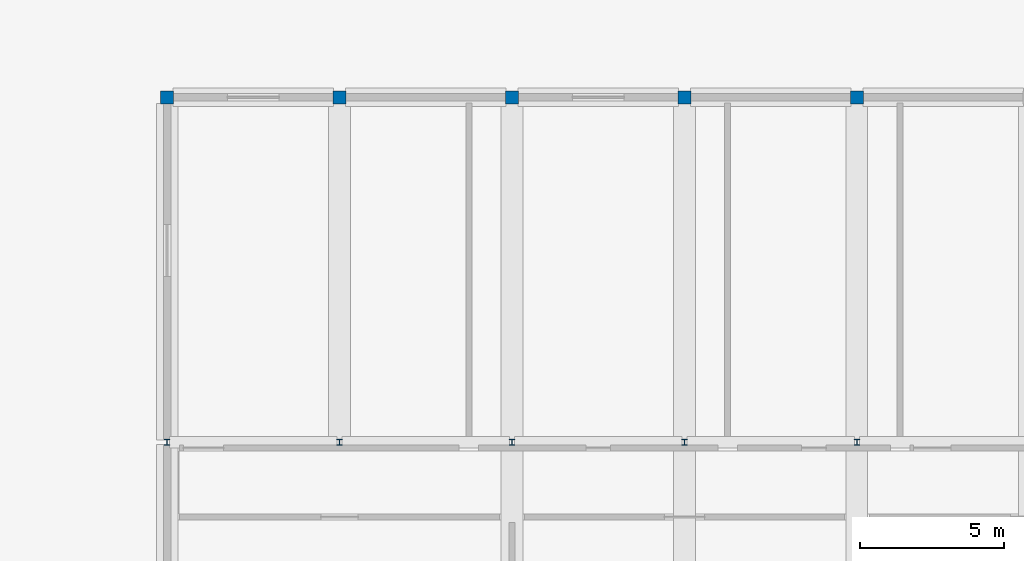
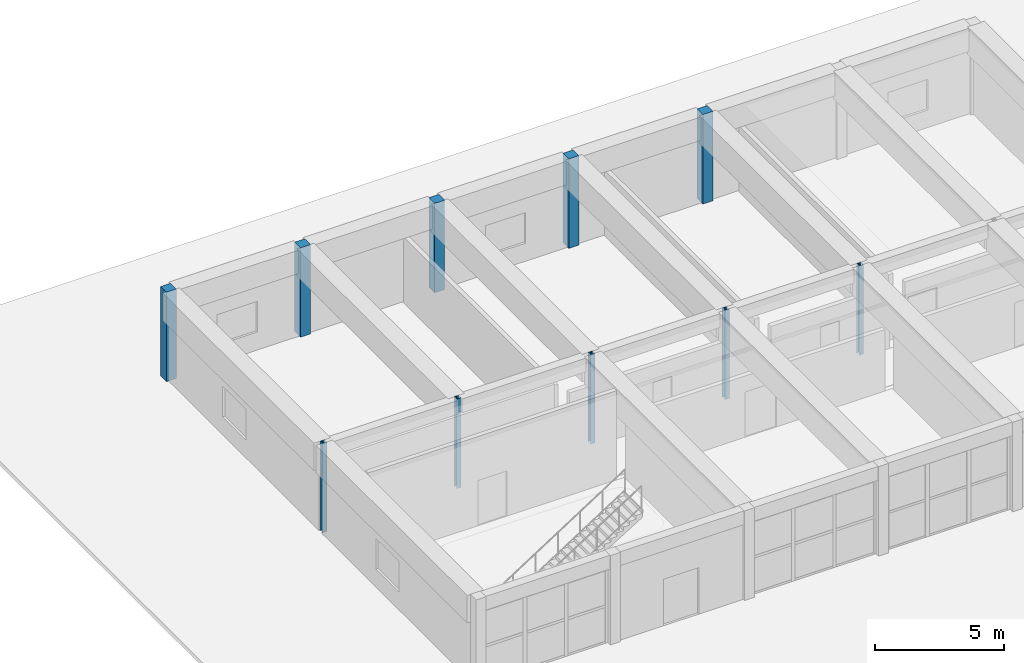
# One storey, part 6 of 76: 10 columns.
"""IFC4 building model written with IfcOpenShell, lengths in metres."""

from ifc_helpers import new_model, si_unit, direction, frame, origin, origin_2d, place, context, subcontext, project, spatial, rectangle, i_section, extrude, material, material_profile, profile_set, type_object, element, save


model = new_model("IFC4")

# Units and contexts
model_context = context("Model", 3, precision=1e-05, world=origin(), true_north=direction((0.0, 1.0)))
body_context = subcontext(model_context, "Body", "Model", "MODEL_VIEW")
ifc_project = project(units=[si_unit("LENGTHUNIT", "METRE"), si_unit("AREAUNIT", "SQUARE_METRE"), si_unit("VOLUMEUNIT", "CUBIC_METRE"), si_unit("PLANEANGLEUNIT", "RADIAN"), si_unit("MASSUNIT", "GRAM", prefix="KILO"), si_unit("POWERUNIT", "WATT"), si_unit("THERMODYNAMICTEMPERATUREUNIT", "KELVIN")], contexts=[model_context])

# Site, building, storey
site_placement = place(None, origin())
site = spatial("IfcSite", under=ifc_project, at=site_placement, CompositionType="ELEMENT")
building_placement = place(site_placement, origin())
building = spatial("IfcBuilding", under=site, at=building_placement, Name="Ruvembo Vaulted Housing Court", CompositionType="ELEMENT")
storey_placement = place(building_placement, origin())
storey = spatial("IfcBuildingStorey", under=building, at=storey_placement, Name="L00", CompositionType="ELEMENT", Elevation=0.0)

# Columns
ifc_material_1 = material(Name="Concrete C35/45", Category="concrete")
ifc_material_profile_1 = material_profile(ifc_material_1, rectangle(XDim=0.449951171875, YDim=0.449951171875, at=origin_2d()), Name="RC 450x450")
ifc_profile_set_1 = profile_set([ifc_material_profile_1], Name="Concrete C35/45")
column_type_1 = type_object("IfcColumnType", Name="COL-RC-450", PredefinedType="COLUMN", material=ifc_profile_set_1)
for number, where, z_axis, x_axis, name in (
    (1, (6.0, 108.0, 0.0), (0.0, 0.0, 1.0), (1.0, 0.0, 0.0), "L00 Column (6,108)"),
    (2, (12.0, 108.0, 0.0), (0.0, 0.0, 1.0), (1.0, 0.0, 0.0), "L00 Column (12,108)"),
    (3, (18.0, 108.0, 0.0), (0.0, 0.0, 1.0), (1.0, 0.0, 0.0), "L00 Column (18,108)"),
    (4, (24.0, 108.0, 0.0), (0.0, 0.0, 1.0), (1.0, 0.0, 0.0), "L00 Column (24,108)"),
    (5, (30.0, 108.0, 0.0), (0.0, 0.0, 1.0), (1.0, 0.0, 0.0), "L00 Column (30,108)"),
):
    element("IfcColumn", number, at=place(storey_placement, frame(where, z_axis=z_axis, x_axis=x_axis)), inside=storey, type_object=column_type_1, Name=name, PredefinedType="COLUMN", context=body_context, shape_type="SweptSolid", body=[
        extrude(rectangle(XDim=0.449951171875, YDim=0.449951171875, at=origin_2d()), origin(), (0.0, 0.0, 1.0), 4.22998046875),
    ])
ifc_material_2 = material(Name="Steel S355J2", Category="steel")
ifc_material_profile_2 = material_profile(ifc_material_2, i_section(OverallWidth=0.199951171875, OverallDepth=0.199951171875, WebThickness=0.009033203125, FlangeThickness=0.014892578125, FilletRadius=0.01806640625, at=origin_2d()), Name="HEB 200")
ifc_profile_set_2 = profile_set([ifc_material_profile_2], Name="Steel S355J2")
column_type_2 = type_object("IfcColumnType", Name="COL-ST-HEB200", PredefinedType="COLUMN", material=ifc_profile_set_2)
for number, where, z_axis, x_axis, name in (
    (6, (6.0, 96.0, 0.0), (0.0, 0.0, 1.0), (1.0, 0.0, 0.0), "L00 Column (6,96)"),
    (7, (12.0, 96.0, 0.0), (0.0, 0.0, 1.0), (1.0, 0.0, 0.0), "L00 Column (12,96)"),
    (8, (18.0, 96.0, 0.0), (0.0, 0.0, 1.0), (1.0, 0.0, 0.0), "L00 Column (18,96)"),
    (9, (24.0, 96.0, 0.0), (0.0, 0.0, 1.0), (1.0, 0.0, 0.0), "L00 Column (24,96)"),
    (10, (30.0, 96.0, 0.0), (0.0, 0.0, 1.0), (1.0, 0.0, 0.0), "L00 Column (30,96)"),
):
    element("IfcColumn", number, at=place(storey_placement, frame(where, z_axis=z_axis, x_axis=x_axis)), inside=storey, type_object=column_type_2, Name=name, PredefinedType="COLUMN", context=body_context, shape_type="SweptSolid", body=[
        extrude(i_section(OverallWidth=0.199951171875, OverallDepth=0.199951171875, WebThickness=0.009033203125, FlangeThickness=0.014892578125, FilletRadius=0.01806640625, at=origin_2d()), origin(), (0.0, 0.0, 1.0), 4.22998046875),
    ])

save(model, "model.ifc")
